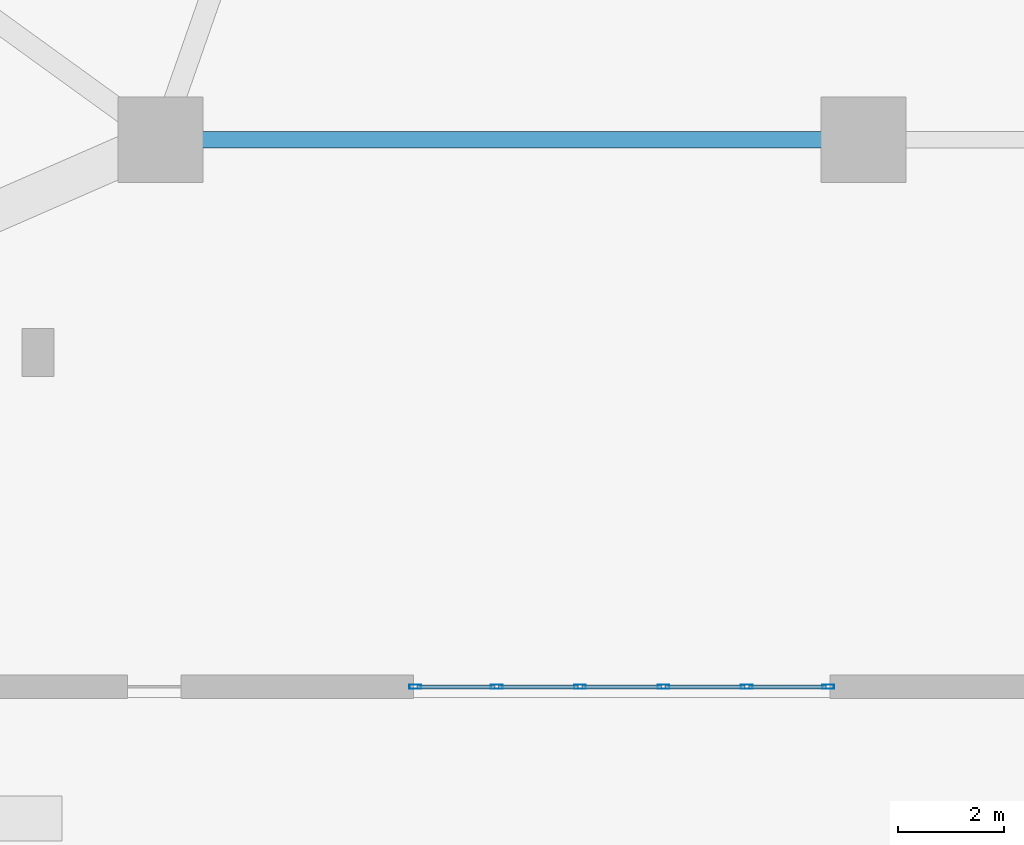
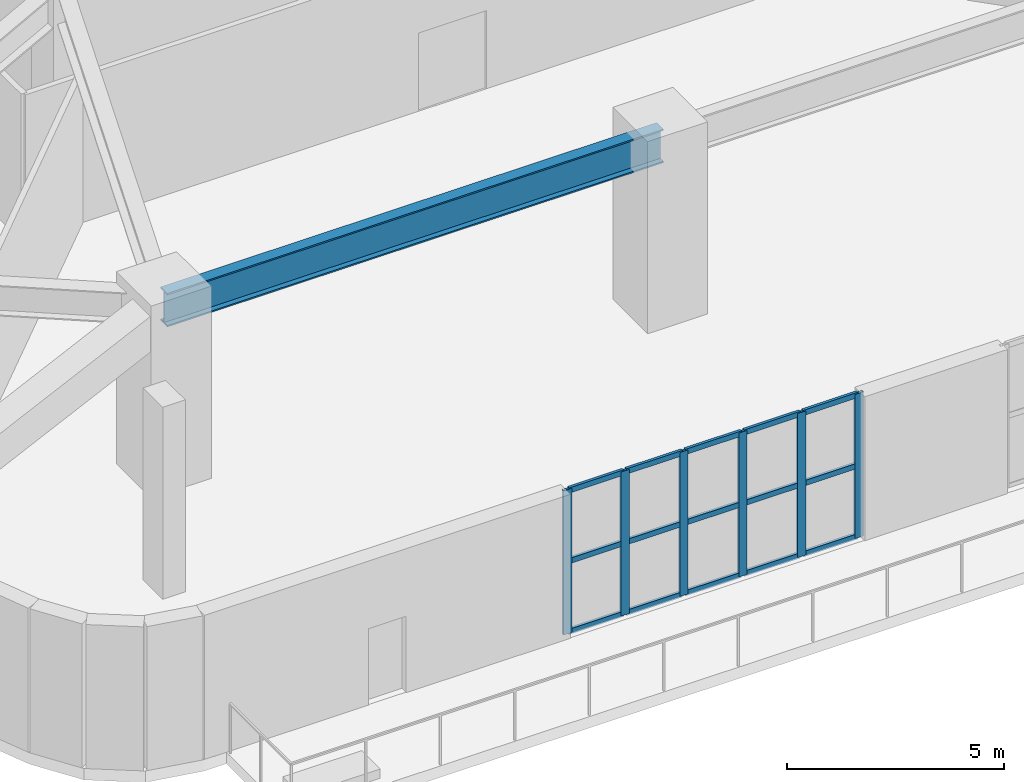
# One storey, part 3 of 34: 21 members, 1 beam, 1 element without a shape of its own.
"""IFC4 building model written with IfcOpenShell, lengths in metres."""

from ifc_helpers import new_model, si_unit, direction, frame, origin, origin_2d, place, context, subcontext, project, spatial, hollow_rectangle, i_section, extrude, material, layer, layer_set, material_profile, profile_set, type_object, element, aggregate, save


model = new_model("IFC4")

# Units and contexts
model_context = context("Model", 3, precision=1e-05, world=origin(), true_north=direction((0.0, 1.0)))
body_context = subcontext(model_context, "Body", "Model", "MODEL_VIEW")
ifc_project = project(units=[si_unit("LENGTHUNIT", "METRE"), si_unit("AREAUNIT", "SQUARE_METRE"), si_unit("VOLUMEUNIT", "CUBIC_METRE"), si_unit("PLANEANGLEUNIT", "RADIAN"), si_unit("MASSUNIT", "GRAM", prefix="KILO")], contexts=[model_context])

# Site, building, storey
site_placement = place(None, origin())
site = spatial("IfcSite", under=ifc_project, at=site_placement, CompositionType="ELEMENT")
building_placement = place(site_placement, origin())
building = spatial("IfcBuilding", under=site, at=building_placement, Name="Kilnhurst Terrace Hotel", CompositionType="ELEMENT")
storey_placement = place(building_placement, frame((0.0, 0.0, 6.0)))
storey = spatial("IfcBuildingStorey", under=building, at=storey_placement, Name="L01", CompositionType="ELEMENT", Elevation=6.0)

# Beam
ifc_material_1 = material(Name="Steel ASTM A992 Grade 50", Category="steel")
ifc_material_profile_1 = material_profile(ifc_material_1, i_section(OverallWidth=0.307861328125, OverallDepth=0.94287109375, WebThickness=0.022216796875, FlangeThickness=0.039794921875, at=origin_2d()), Name="W36X232")
ifc_profile_set_1 = profile_set([ifc_material_profile_1], Name="Steel ASTM A992 Grade 50")
beam_type = type_object("IfcBeamType", Name="BM-STL-W36X232", PredefinedType="BEAM", material=ifc_profile_set_1)
beam_placement = place(storey_placement, frame((-13.199951171875, -19.5, 4.610107421875), z_axis=(1.0, 0.0, 0.0), x_axis=(0.0, 1.0, 0.0)))
element("IfcBeam", 1, at=beam_placement, inside=storey, type_object=beam_type, Name="L01 Sub-Ballroom Girder 1", PredefinedType="BEAM", context=body_context, shape_type="SweptSolid", body=[
    extrude(i_section(OverallWidth=0.307861328125, OverallDepth=0.94287109375, WebThickness=0.022216796875, FlangeThickness=0.039794921875, at=origin_2d()), origin(), (0.0, 0.0, 1.0), 13.199951171875),
])

# Curtain wall, members
ifc_material_2 = material(Name="Anodized Aluminium Alloy 6063-T6 and Low-E Glass", Category="aluminium")
ifc_layer = layer(ifc_material_2, 0.219970703125, Name="Anodized Aluminium Alloy 6063-T6 and Low-E Glass")
ifc_layer_set = layer_set([ifc_layer], Name="Anodized Aluminium Alloy 6063-T6 and Low-E Glass")
curtain_wall_type = type_object("IfcCurtainWallType", Name="CW-POD-LOBBY", PredefinedType="NOTDEFINED", material=ifc_layer_set)
curtain_wall_placement = place(storey_placement, origin())
curtain_wall = element("IfcCurtainWall", 2, at=curtain_wall_placement, inside=storey, type_object=curtain_wall_type, Name="L01 Curtain Wall CW-L01-F1-1", PredefinedType="NOTDEFINED")
ifc_material_3 = material(Name="Extruded Aluminium Alloy 6063-T6", Category="aluminium")
ifc_material_profile_2 = material_profile(ifc_material_3, hollow_rectangle(XDim=0.074951171875, YDim=0.219970703125, WallThickness=0.00390625, at=origin_2d()), Name="CWM75X220")
ifc_profile_set_2 = profile_set([ifc_material_profile_2], Name="Extruded Aluminium Alloy 6063-T6")
member_type_1 = type_object("IfcMemberType", Name="MEM-CWM75X220", PredefinedType="MULLION", material=ifc_profile_set_2)
member_1_placement = place(storey_placement, frame((-8.415283203125, -29.77490234375, 0.0), z_axis=(0.0, 0.0, 1.0), x_axis=(0.0, 1.0, 0.0)))
member_1 = element("IfcMember", 3, at=member_1_placement, type_object=member_type_1, Name="CWL-1 mullion 1", PredefinedType="MULLION", context=body_context, shape_type="SweptSolid", body=[
    extrude(hollow_rectangle(XDim=0.074951171875, YDim=0.219970703125, WallThickness=0.00390625, at=origin_2d()), origin(), (0.0, 0.0, 1.0), 4.050048828125),
])
member_2_placement = place(storey_placement, frame((-6.88720703125, -29.77490234375, 0.0), z_axis=(0.0, 0.0, 1.0), x_axis=(0.0, 1.0, 0.0)))
member_2 = element("IfcMember", 4, at=member_2_placement, type_object=member_type_1, Name="CWL-1 mullion 2", PredefinedType="MULLION", context=body_context, shape_type="SweptSolid", body=[
    extrude(hollow_rectangle(XDim=0.074951171875, YDim=0.219970703125, WallThickness=0.00390625, at=origin_2d()), origin(), (0.0, 0.0, 1.0), 4.050048828125),
])
member_3_placement = place(storey_placement, frame((-5.3212890625, -29.77490234375, 0.0), z_axis=(0.0, 0.0, 1.0), x_axis=(0.0, 1.0, 0.0)))
member_3 = element("IfcMember", 5, at=member_3_placement, type_object=member_type_1, Name="CWL-1 mullion 3", PredefinedType="MULLION", context=body_context, shape_type="SweptSolid", body=[
    extrude(hollow_rectangle(XDim=0.074951171875, YDim=0.219970703125, WallThickness=0.00390625, at=origin_2d()), origin(), (0.0, 0.0, 1.0), 4.050048828125),
])
member_4_placement = place(storey_placement, frame((-3.755615234375, -29.77490234375, 0.0), z_axis=(0.0, 0.0, 1.0), x_axis=(0.0, 1.0, 0.0)))
member_4 = element("IfcMember", 6, at=member_4_placement, type_object=member_type_1, Name="CWL-1 mullion 4", PredefinedType="MULLION", context=body_context, shape_type="SweptSolid", body=[
    extrude(hollow_rectangle(XDim=0.074951171875, YDim=0.219970703125, WallThickness=0.00390625, at=origin_2d()), origin(), (0.0, 0.0, 1.0), 4.050048828125),
])
member_5_placement = place(storey_placement, frame((-2.189697265625, -29.77490234375, 0.0), z_axis=(0.0, 0.0, 1.0), x_axis=(0.0, 1.0, 0.0)))
member_5 = element("IfcMember", 7, at=member_5_placement, type_object=member_type_1, Name="CWL-1 mullion 5", PredefinedType="MULLION", context=body_context, shape_type="SweptSolid", body=[
    extrude(hollow_rectangle(XDim=0.074951171875, YDim=0.219970703125, WallThickness=0.00390625, at=origin_2d()), origin(), (0.0, 0.0, 1.0), 4.050048828125),
])
member_6_placement = place(storey_placement, frame((-0.661376953125, -29.77490234375, 0.0), z_axis=(0.0, 0.0, 1.0), x_axis=(0.0, 1.0, 0.0)))
member_6 = element("IfcMember", 8, at=member_6_placement, type_object=member_type_1, Name="CWL-1 mullion 6", PredefinedType="MULLION", context=body_context, shape_type="SweptSolid", body=[
    extrude(hollow_rectangle(XDim=0.074951171875, YDim=0.219970703125, WallThickness=0.00390625, at=origin_2d()), origin(), (0.0, 0.0, 1.0), 4.050048828125),
])
ifc_material_profile_3 = material_profile(ifc_material_3, hollow_rectangle(XDim=0.074951171875, YDim=0.14990234375, WallThickness=0.00390625, at=origin_2d()), Name="CWT75X150")
ifc_profile_set_3 = profile_set([ifc_material_profile_3], Name="Extruded Aluminium Alloy 6063-T6")
member_type_2 = type_object("IfcMemberType", Name="MEM-CWT75X150", PredefinedType="USERDEFINED", material=ifc_profile_set_3)
member_7_placement = place(storey_placement, frame((-8.3779296875, -29.77490234375, 0.03759765625), z_axis=(1.0, 0.0, 0.0), x_axis=(0.0, 1.0, 0.0)))
member_7 = element("IfcMember", 9, at=member_7_placement, type_object=member_type_2, Name="CWL-1 transom 1.1", ObjectType="TRANSOM", PredefinedType="USERDEFINED", context=body_context, shape_type="SweptSolid", body=[
    extrude(hollow_rectangle(XDim=0.074951171875, YDim=0.14990234375, WallThickness=0.00390625, at=origin_2d()), origin(), (0.0, 0.0, 1.0), 1.453369140625),
])
member_8_placement = place(storey_placement, frame((-8.3779296875, -29.77490234375, 2.02490234375), z_axis=(1.0, 0.0, 0.0), x_axis=(0.0, 1.0, 0.0)))
member_8 = element("IfcMember", 10, at=member_8_placement, type_object=member_type_2, Name="CWL-1 transom 1.2", ObjectType="TRANSOM", PredefinedType="USERDEFINED", context=body_context, shape_type="SweptSolid", body=[
    extrude(hollow_rectangle(XDim=0.074951171875, YDim=0.14990234375, WallThickness=0.00390625, at=origin_2d()), origin(), (0.0, 0.0, 1.0), 1.453369140625),
])
member_9_placement = place(storey_placement, frame((-8.3779296875, -29.77490234375, 4.012451171875), z_axis=(1.0, 0.0, 0.0), x_axis=(0.0, 1.0, 0.0)))
member_9 = element("IfcMember", 11, at=member_9_placement, type_object=member_type_2, Name="CWL-1 transom 1.3", ObjectType="TRANSOM", PredefinedType="USERDEFINED", context=body_context, shape_type="SweptSolid", body=[
    extrude(hollow_rectangle(XDim=0.074951171875, YDim=0.14990234375, WallThickness=0.00390625, at=origin_2d()), origin(), (0.0, 0.0, 1.0), 1.453369140625),
])
member_10_placement = place(storey_placement, frame((-6.849609375, -29.77490234375, 0.03759765625), z_axis=(1.0, 0.0, 0.0), x_axis=(0.0, 1.0, 0.0)))
member_10 = element("IfcMember", 12, at=member_10_placement, type_object=member_type_2, Name="CWL-1 transom 2.1", ObjectType="TRANSOM", PredefinedType="USERDEFINED", context=body_context, shape_type="SweptSolid", body=[
    extrude(hollow_rectangle(XDim=0.074951171875, YDim=0.14990234375, WallThickness=0.00390625, at=origin_2d()), origin(), (0.0, 0.0, 1.0), 1.49072265625),
])
member_11_placement = place(storey_placement, frame((-6.849609375, -29.77490234375, 2.02490234375), z_axis=(1.0, 0.0, 0.0), x_axis=(0.0, 1.0, 0.0)))
member_11 = element("IfcMember", 13, at=member_11_placement, type_object=member_type_2, Name="CWL-1 transom 2.2", ObjectType="TRANSOM", PredefinedType="USERDEFINED", context=body_context, shape_type="SweptSolid", body=[
    extrude(hollow_rectangle(XDim=0.074951171875, YDim=0.14990234375, WallThickness=0.00390625, at=origin_2d()), origin(), (0.0, 0.0, 1.0), 1.49072265625),
])
member_12_placement = place(storey_placement, frame((-6.849609375, -29.77490234375, 4.012451171875), z_axis=(1.0, 0.0, 0.0), x_axis=(0.0, 1.0, 0.0)))
member_12 = element("IfcMember", 14, at=member_12_placement, type_object=member_type_2, Name="CWL-1 transom 2.3", ObjectType="TRANSOM", PredefinedType="USERDEFINED", context=body_context, shape_type="SweptSolid", body=[
    extrude(hollow_rectangle(XDim=0.074951171875, YDim=0.14990234375, WallThickness=0.00390625, at=origin_2d()), origin(), (0.0, 0.0, 1.0), 1.49072265625),
])
member_13_placement = place(storey_placement, frame((-5.28369140625, -29.77490234375, 0.03759765625), z_axis=(1.0, 0.0, 0.0), x_axis=(0.0, 1.0, 0.0)))
member_13 = element("IfcMember", 15, at=member_13_placement, type_object=member_type_2, Name="CWL-1 transom 3.1", ObjectType="TRANSOM", PredefinedType="USERDEFINED", context=body_context, shape_type="SweptSolid", body=[
    extrude(hollow_rectangle(XDim=0.074951171875, YDim=0.14990234375, WallThickness=0.00390625, at=origin_2d()), origin(), (0.0, 0.0, 1.0), 1.49072265625),
])
member_14_placement = place(storey_placement, frame((-5.28369140625, -29.77490234375, 2.02490234375), z_axis=(1.0, 0.0, 0.0), x_axis=(0.0, 1.0, 0.0)))
member_14 = element("IfcMember", 16, at=member_14_placement, type_object=member_type_2, Name="CWL-1 transom 3.2", ObjectType="TRANSOM", PredefinedType="USERDEFINED", context=body_context, shape_type="SweptSolid", body=[
    extrude(hollow_rectangle(XDim=0.074951171875, YDim=0.14990234375, WallThickness=0.00390625, at=origin_2d()), origin(), (0.0, 0.0, 1.0), 1.49072265625),
])
member_15_placement = place(storey_placement, frame((-5.28369140625, -29.77490234375, 4.012451171875), z_axis=(1.0, 0.0, 0.0), x_axis=(0.0, 1.0, 0.0)))
member_15 = element("IfcMember", 17, at=member_15_placement, type_object=member_type_2, Name="CWL-1 transom 3.3", ObjectType="TRANSOM", PredefinedType="USERDEFINED", context=body_context, shape_type="SweptSolid", body=[
    extrude(hollow_rectangle(XDim=0.074951171875, YDim=0.14990234375, WallThickness=0.00390625, at=origin_2d()), origin(), (0.0, 0.0, 1.0), 1.49072265625),
])
member_16_placement = place(storey_placement, frame((-3.718017578125, -29.77490234375, 0.03759765625), z_axis=(1.0, 0.0, 0.0), x_axis=(0.0, 1.0, 0.0)))
member_16 = element("IfcMember", 18, at=member_16_placement, type_object=member_type_2, Name="CWL-1 transom 4.1", ObjectType="TRANSOM", PredefinedType="USERDEFINED", context=body_context, shape_type="SweptSolid", body=[
    extrude(hollow_rectangle(XDim=0.074951171875, YDim=0.14990234375, WallThickness=0.00390625, at=origin_2d()), origin(), (0.0, 0.0, 1.0), 1.49072265625),
])
member_17_placement = place(storey_placement, frame((-3.718017578125, -29.77490234375, 2.02490234375), z_axis=(1.0, 0.0, 0.0), x_axis=(0.0, 1.0, 0.0)))
member_17 = element("IfcMember", 19, at=member_17_placement, type_object=member_type_2, Name="CWL-1 transom 4.2", ObjectType="TRANSOM", PredefinedType="USERDEFINED", context=body_context, shape_type="SweptSolid", body=[
    extrude(hollow_rectangle(XDim=0.074951171875, YDim=0.14990234375, WallThickness=0.00390625, at=origin_2d()), origin(), (0.0, 0.0, 1.0), 1.49072265625),
])
member_18_placement = place(storey_placement, frame((-3.718017578125, -29.77490234375, 4.012451171875), z_axis=(1.0, 0.0, 0.0), x_axis=(0.0, 1.0, 0.0)))
member_18 = element("IfcMember", 20, at=member_18_placement, type_object=member_type_2, Name="CWL-1 transom 4.3", ObjectType="TRANSOM", PredefinedType="USERDEFINED", context=body_context, shape_type="SweptSolid", body=[
    extrude(hollow_rectangle(XDim=0.074951171875, YDim=0.14990234375, WallThickness=0.00390625, at=origin_2d()), origin(), (0.0, 0.0, 1.0), 1.49072265625),
])
member_19_placement = place(storey_placement, frame((-2.152099609375, -29.77490234375, 0.03759765625), z_axis=(1.0, 0.0, 0.0), x_axis=(0.0, 1.0, 0.0)))
member_19 = element("IfcMember", 21, at=member_19_placement, type_object=member_type_2, Name="CWL-1 transom 5.1", ObjectType="TRANSOM", PredefinedType="USERDEFINED", context=body_context, shape_type="SweptSolid", body=[
    extrude(hollow_rectangle(XDim=0.074951171875, YDim=0.14990234375, WallThickness=0.00390625, at=origin_2d()), origin(), (0.0, 0.0, 1.0), 1.453125),
])
member_20_placement = place(storey_placement, frame((-2.152099609375, -29.77490234375, 2.02490234375), z_axis=(1.0, 0.0, 0.0), x_axis=(0.0, 1.0, 0.0)))
member_20 = element("IfcMember", 22, at=member_20_placement, type_object=member_type_2, Name="CWL-1 transom 5.2", ObjectType="TRANSOM", PredefinedType="USERDEFINED", context=body_context, shape_type="SweptSolid", body=[
    extrude(hollow_rectangle(XDim=0.074951171875, YDim=0.14990234375, WallThickness=0.00390625, at=origin_2d()), origin(), (0.0, 0.0, 1.0), 1.453125),
])
member_21_placement = place(storey_placement, frame((-2.152099609375, -29.77490234375, 4.012451171875), z_axis=(1.0, 0.0, 0.0), x_axis=(0.0, 1.0, 0.0)))
member_21 = element("IfcMember", 23, at=member_21_placement, type_object=member_type_2, Name="CWL-1 transom 5.3", ObjectType="TRANSOM", PredefinedType="USERDEFINED", context=body_context, shape_type="SweptSolid", body=[
    extrude(hollow_rectangle(XDim=0.074951171875, YDim=0.14990234375, WallThickness=0.00390625, at=origin_2d()), origin(), (0.0, 0.0, 1.0), 1.453125),
])
aggregate(curtain_wall, [member_1, member_2, member_3, member_4, member_5, member_6, member_7, member_8, member_9, member_10, member_11, member_12, member_13, member_14, member_15, member_16, member_17, member_18, member_19, member_20, member_21])

save(model, "model.ifc")
